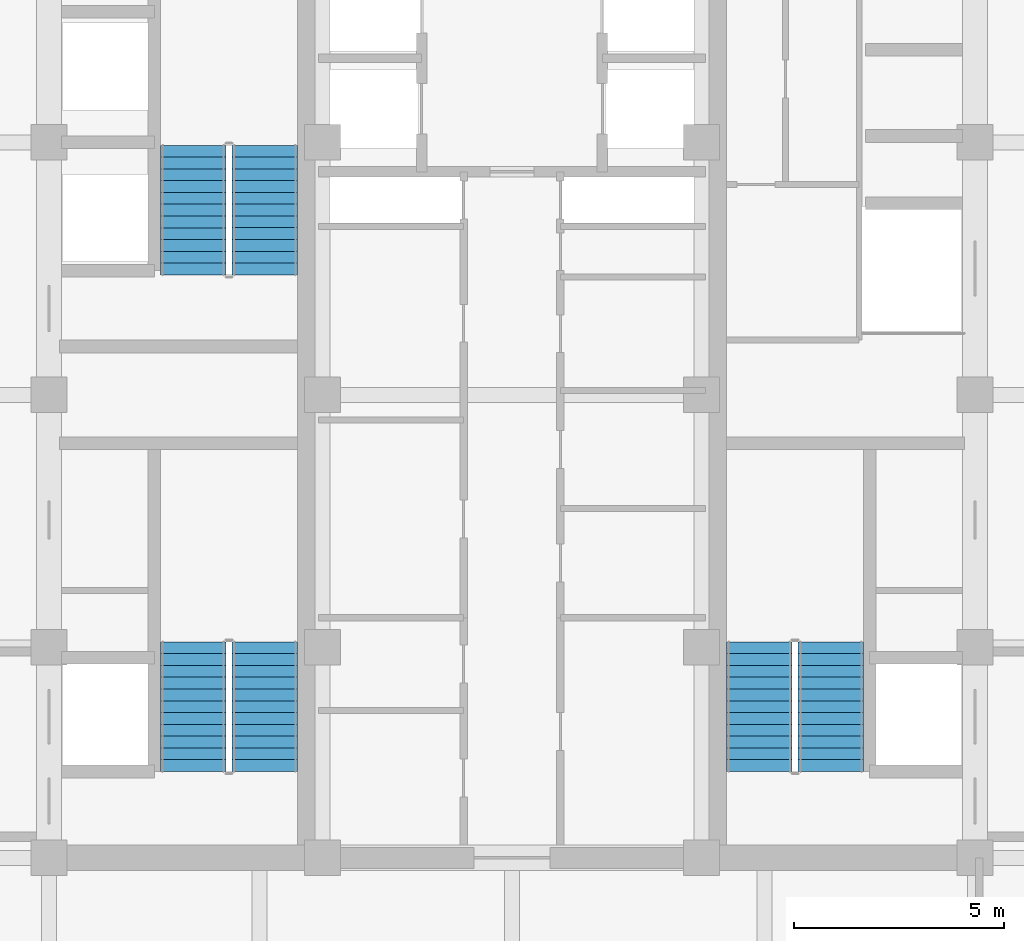
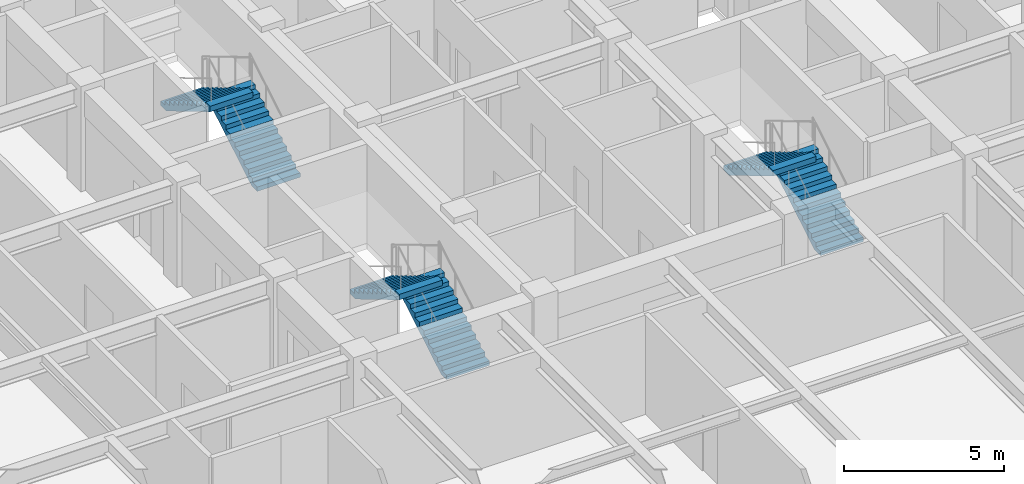
# One storey, part 24 of 25: 6 stair flights, 3 elements without a shape of their own.
"""IFC4 building model written with IfcOpenShell, lengths in metres."""

from ifc_helpers import new_model, si_unit, direction, frame, origin, place, context, subcontext, project, spatial, polyline, outline, extrude, source, transform, mapped, material, type_object, element, aggregate, save


model = new_model("IFC4")

# Units and contexts
model_context = context("Model", 3, precision=1e-05, world=origin(), true_north=direction((0.0, 1.0)))
body_context = subcontext(model_context, "Body", "Model", "MODEL_VIEW")
ifc_project = project(units=[si_unit("LENGTHUNIT", "METRE"), si_unit("AREAUNIT", "SQUARE_METRE"), si_unit("VOLUMEUNIT", "CUBIC_METRE"), si_unit("PLANEANGLEUNIT", "RADIAN"), si_unit("MASSUNIT", "GRAM", prefix="KILO")], contexts=[model_context])

# Site, building, storey
site_placement = place(None, origin())
site = spatial("IfcSite", under=ifc_project, at=site_placement, CompositionType="ELEMENT")
building_placement = place(site_placement, origin())
building = spatial("IfcBuilding", under=site, at=building_placement, Name="Khorayat Bourse Tower", CompositionType="ELEMENT")
storey_placement = place(building_placement, frame((0.0, 0.0, 255.10009765625)))
storey = spatial("IfcBuildingStorey", under=building, at=storey_placement, Name="L60", CompositionType="ELEMENT", Elevation=255.10009765625)

# Stair, stair flights
ifc_material = material(Name="Concrete C40/50", Category="concrete")
stair_type = type_object("IfcStairType", Name="STR-CORE-1550", PredefinedType="HALF_TURN_STAIR", material=ifc_material)
stair_1_placement = place(storey_placement, origin())
stair_1 = element("IfcStair", 1, at=stair_1_placement, inside=storey, type_object=stair_type, Name="L60 Exit Stair ST-1", PredefinedType="HALF_TURN_STAIR")
stair_flight_type = type_object("IfcStairFlightType", Name="FLT-CORE-1550", PredefinedType="STRAIGHT", material=ifc_material)
shared_shape = source(origin(), body_context, "Body", "SweptSolid", [
    extrude(outline(polyline([(0.0, 0.0), (0.0, 0.166748046875), (0.280029296875, 0.166748046875), (0.280029296875, 0.333251953125), (0.56005859375, 0.333251953125), (0.56005859375, 0.5), (0.840087890625, 0.5), (0.840087890625, 0.666748046875), (1.1201171875, 0.666748046875), (1.1201171875, 0.833251953125), (1.39990234375, 0.833251953125), (1.39990234375, 1.0), (1.679931640625, 1.0), (1.679931640625, 1.166748046875), (1.9599609375, 1.166748046875), (1.9599609375, 1.333251953125), (2.239990234375, 1.333251953125), (2.239990234375, 1.5), (2.52001953125, 1.5), (2.52001953125, 1.666748046875), (2.800048828125, 1.666748046875), (2.800048828125, 1.833251953125), (3.080078125, 1.833251953125), (3.080078125, 2.0), (3.080078125, 1.6240234375), (0.351806640625, 0.0), (0.0, 0.0)])), frame((0.0, 0.77490234375, 0.0), z_axis=(0.0, -1.0, 0.0), x_axis=(1.0, 0.0, 0.0)), (0.0, 0.0, 1.0), 1.550048828125),
])
stair_flight_1_placement = place(storey_placement, frame((-5.875, -8.949951171875, 0.0), z_axis=(0.0, 0.0, 1.0), x_axis=(0.0, 1.0, 0.0)))
stair_flight_1 = element("IfcStairFlight", 2, at=stair_flight_1_placement, type_object=stair_flight_type, Name="ST-1 flight 1", NumberOfRisers=12, NumberOfTreads=11, PredefinedType="STRAIGHT", RiserHeight=0.166666667, TreadLength=0.28, context=body_context, shape_type="MappedRepresentation", body=[
    mapped(shared_shape, transform((0.0, 0.0, 0.0), scale=1.0)),
])
stair_flight_2_placement = place(storey_placement, frame((-7.574951171875, -5.8701171875, 2.0), z_axis=(0.0, 0.0, 1.0), x_axis=(0.0, -1.0, 0.0)))
stair_flight_2 = element("IfcStairFlight", 3, at=stair_flight_2_placement, type_object=stair_flight_type, Name="ST-1 flight 2", NumberOfRisers=12, NumberOfTreads=11, PredefinedType="STRAIGHT", RiserHeight=0.166666667, TreadLength=0.28, context=body_context, shape_type="MappedRepresentation", body=[
    mapped(shared_shape, transform((0.0, 0.0, 0.0), scale=1.0)),
])
aggregate(stair_1, [stair_flight_1, stair_flight_2])

stair_2_placement = place(storey_placement, origin())
stair_2 = element("IfcStair", 4, at=stair_2_placement, inside=storey, type_object=stair_type, Name="L60 Exit Stair ST-2", PredefinedType="HALF_TURN_STAIR")
stair_flight_3_placement = place(storey_placement, frame((-5.875, 2.85009765625, 0.0), z_axis=(0.0, 0.0, 1.0), x_axis=(0.0, 1.0, 0.0)))
stair_flight_3 = element("IfcStairFlight", 5, at=stair_flight_3_placement, type_object=stair_flight_type, Name="ST-2 flight 1", NumberOfRisers=12, NumberOfTreads=11, PredefinedType="STRAIGHT", RiserHeight=0.166666667, TreadLength=0.28, context=body_context, shape_type="MappedRepresentation", body=[
    mapped(shared_shape, transform((0.0, 0.0, 0.0), scale=1.0)),
])
stair_flight_4_placement = place(storey_placement, frame((-7.574951171875, 5.929931640625, 2.0), z_axis=(0.0, 0.0, 1.0), x_axis=(0.0, -1.0, 0.0)))
stair_flight_4 = element("IfcStairFlight", 6, at=stair_flight_4_placement, type_object=stair_flight_type, Name="ST-2 flight 2", NumberOfRisers=12, NumberOfTreads=11, PredefinedType="STRAIGHT", RiserHeight=0.166666667, TreadLength=0.28, context=body_context, shape_type="MappedRepresentation", body=[
    mapped(shared_shape, transform((0.0, 0.0, 0.0), scale=1.0)),
])
aggregate(stair_2, [stair_flight_3, stair_flight_4])

stair_3_placement = place(storey_placement, origin())
stair_3 = element("IfcStair", 7, at=stair_3_placement, inside=storey, type_object=stair_type, Name="L60 Exit Stair ST-3", PredefinedType="HALF_TURN_STAIR")
stair_flight_5_placement = place(storey_placement, frame((7.574951171875, -8.949951171875, 0.0), z_axis=(0.0, 0.0, 1.0), x_axis=(0.0, 1.0, 0.0)))
stair_flight_5 = element("IfcStairFlight", 8, at=stair_flight_5_placement, type_object=stair_flight_type, Name="ST-3 flight 1", NumberOfRisers=12, NumberOfTreads=11, PredefinedType="STRAIGHT", RiserHeight=0.166666667, TreadLength=0.28, context=body_context, shape_type="MappedRepresentation", body=[
    mapped(shared_shape, transform((0.0, 0.0, 0.0), scale=1.0)),
])
stair_flight_6_placement = place(storey_placement, frame((5.875, -5.8701171875, 2.0), z_axis=(0.0, 0.0, 1.0), x_axis=(0.0, -1.0, 0.0)))
stair_flight_6 = element("IfcStairFlight", 9, at=stair_flight_6_placement, type_object=stair_flight_type, Name="ST-3 flight 2", NumberOfRisers=12, NumberOfTreads=11, PredefinedType="STRAIGHT", RiserHeight=0.166666667, TreadLength=0.28, context=body_context, shape_type="MappedRepresentation", body=[
    mapped(shared_shape, transform((0.0, 0.0, 0.0), scale=1.0)),
])
aggregate(stair_3, [stair_flight_5, stair_flight_6])

save(model, "model.ifc")
